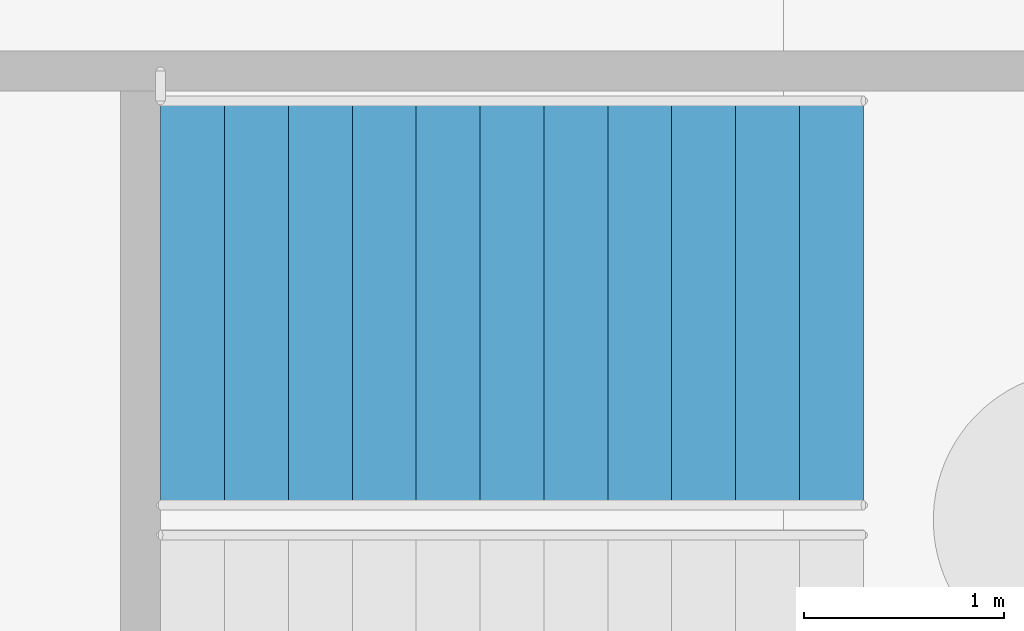
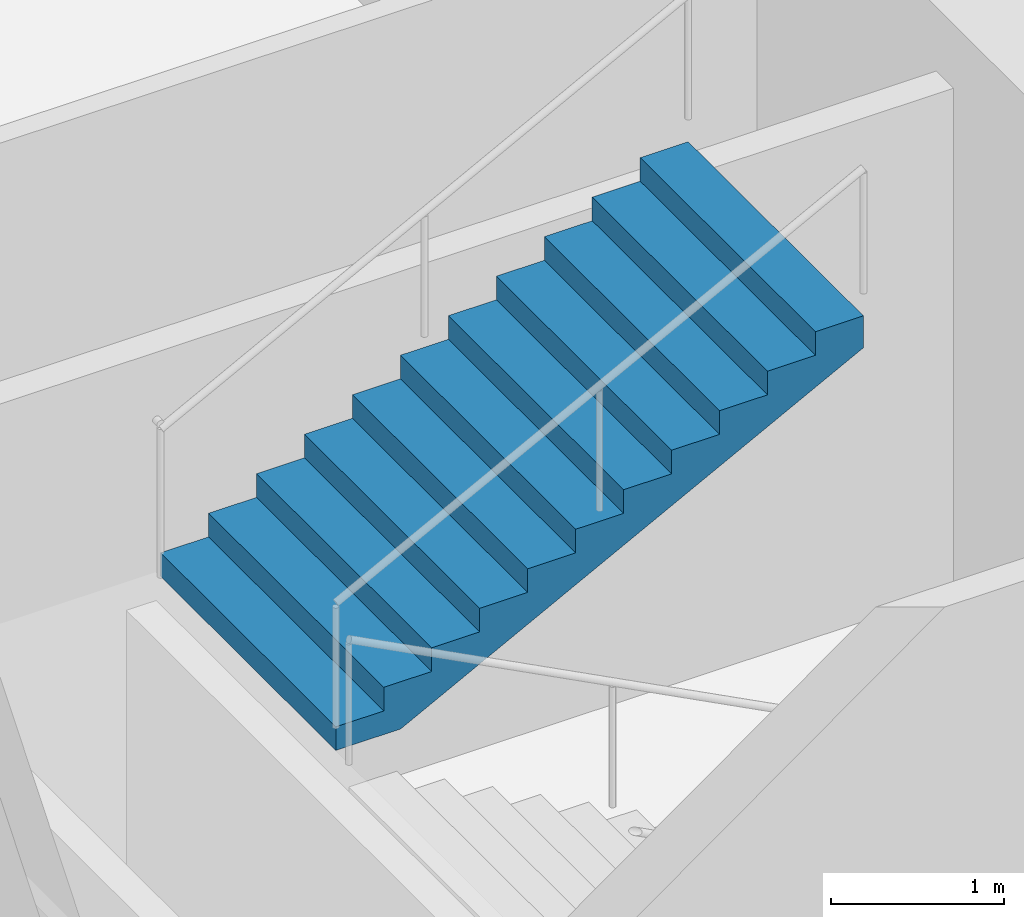
# One storey, part 18 of 40: 1 stair flight, 1 element without a shape of its own.
"""IFC4 building model written with IfcOpenShell, lengths in metres."""

from ifc_helpers import new_model, si_unit, direction, frame, origin, place, context, subcontext, project, spatial, polyline, outline, extrude, material, type_object, element, aggregate, save


model = new_model("IFC4")

# Units and contexts
model_context = context("Model", 3, precision=1e-05, world=origin(), true_north=direction((0.0, 1.0)))
body_context = subcontext(model_context, "Body", "Model", "MODEL_VIEW")
ifc_project = project(units=[si_unit("LENGTHUNIT", "METRE"), si_unit("AREAUNIT", "SQUARE_METRE"), si_unit("VOLUMEUNIT", "CUBIC_METRE"), si_unit("PLANEANGLEUNIT", "RADIAN"), si_unit("MASSUNIT", "GRAM", prefix="KILO")], contexts=[model_context])

# Site, building, storey
site_placement = place(None, origin())
site = spatial("IfcSite", under=ifc_project, at=site_placement, CompositionType="ELEMENT")
building_placement = place(site_placement, origin())
building = spatial("IfcBuilding", under=site, at=building_placement, Name="Altepetl Exchange Towers", CompositionType="ELEMENT")
storey_placement = place(building_placement, frame((0.0, 0.0, -8.0)))
storey = spatial("IfcBuildingStorey", under=building, at=storey_placement, Name="B2 Basement parking", CompositionType="ELEMENT", Elevation=-8.0)

# Stair, stair flight
ifc_material = material(Name="Reinforced concrete C35/45", Category="concrete")
stair_type = type_object("IfcStairType", Name="Exit half-turn stair 2025", PredefinedType="HALF_TURN_STAIR", material=ifc_material)
stair_placement = place(storey_placement, origin())
stair = element("IfcStair", 1, at=stair_placement, inside=storey, type_object=stair_type, Name="ST-P8 stair", PredefinedType="HALF_TURN_STAIR")
stair_flight_type = type_object("IfcStairFlightType", Name="Stair flight 2025", PredefinedType="STRAIGHT", material=ifc_material)
stair_flight_placement = place(storey_placement, frame((146.8798828125, 68.58740234375, 2.0)))
stair_flight = element("IfcStairFlight", 2, at=stair_flight_placement, type_object=stair_flight_type, Name="ST-P8 flight 2", NumberOfRisers=12, NumberOfTreads=11, PredefinedType="STRAIGHT", RiserHeight=0.166667, TreadLength=0.32, context=body_context, shape_type="SweptSolid", body=[
    extrude(outline(polyline([(0.0, 0.0), (0.0, 0.166748046875), (0.320068359375, 0.166748046875), (0.320068359375, 0.333251953125), (0.639892578125, 0.333251953125), (0.639892578125, 0.5), (0.9599609375, 0.5), (0.9599609375, 0.666748046875), (1.280029296875, 0.666748046875), (1.280029296875, 0.833251953125), (1.60009765625, 0.833251953125), (1.60009765625, 1.0), (1.919921875, 1.0), (1.919921875, 1.166748046875), (2.239990234375, 1.166748046875), (2.239990234375, 1.333251953125), (2.56005859375, 1.333251953125), (2.56005859375, 1.5), (2.8798828125, 1.5), (2.8798828125, 1.666748046875), (3.199951171875, 1.666748046875), (3.199951171875, 1.833251953125), (3.52001953125, 1.833251953125), (3.52001953125, 2.0), (3.52001953125, 1.60791015625), (0.432861328125, 0.0), (0.0, 0.0)])), frame((0.0, 1.012451171875, 0.0), z_axis=(0.0, -1.0, 0.0), x_axis=(1.0, 0.0, 0.0)), (0.0, 0.0, 1.0), 2.02490234375),
])
aggregate(stair, [stair_flight])

save(model, "model.ifc")
